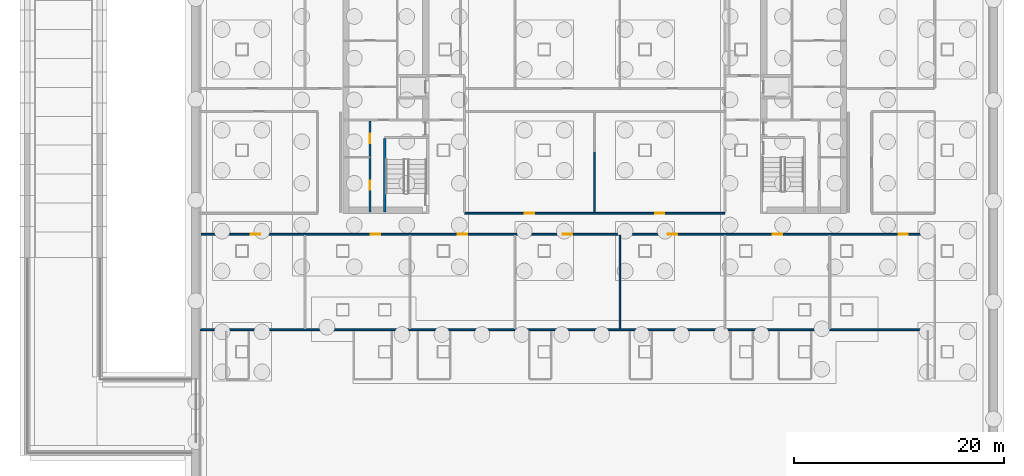
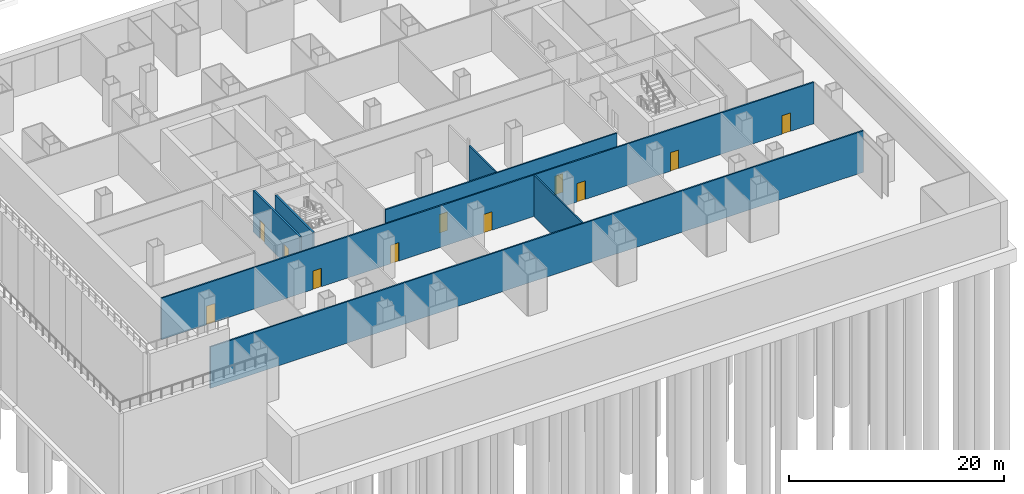
# One storey, part 7 of 17: 11 doors, 7 walls, 11 openings.
"""IFC4 building model written with IfcOpenShell, lengths in metres."""

from ifc_helpers import new_model, si_unit, direction, frame, frame_2d, origin, place, context, subcontext, project, spatial, rectangle, extrude, material, layer, layer_set, type_object, element, fill, save


model = new_model("IFC4")

# Units and contexts
model_context = context("Model", 3, precision=1e-05, world=origin(), true_north=direction((0.0, 1.0)))
body_context = subcontext(model_context, "Body", "Model", "MODEL_VIEW")
ifc_project = project(units=[si_unit("LENGTHUNIT", "METRE"), si_unit("AREAUNIT", "SQUARE_METRE"), si_unit("VOLUMEUNIT", "CUBIC_METRE"), si_unit("PLANEANGLEUNIT", "RADIAN"), si_unit("MASSUNIT", "GRAM", prefix="KILO")], contexts=[model_context])

# Site, building, storey
site_placement = place(None, origin())
site = spatial("IfcSite", under=ifc_project, at=site_placement, CompositionType="ELEMENT")
building_placement = place(site_placement, origin())
building = spatial("IfcBuilding", under=site, at=building_placement, Name="Cobrizo Arcos Hotel Tower", CompositionType="ELEMENT")
storey_placement = place(building_placement, frame((0.0, 0.0, -10.0)))
storey = spatial("IfcBuildingStorey", under=building, at=storey_placement, Name="B2", CompositionType="ELEMENT", Elevation=-10.0)

# Wall
ifc_material_1 = material(Name="Gypsum board partition")
ifc_layer_1 = layer(ifc_material_1, 0.14990234375)
ifc_layer_set_1 = layer_set([ifc_layer_1], Name="Corridor wall EI 60 150")
wall_type_1 = type_object("IfcWallType", Name="Corridor wall EI 60 150", PredefinedType="PARTITIONING", material=ifc_layer_set_1)
wall_1_placement = place(storey_placement, frame((-37.60009765625, -21.89990234375, 0.0), z_axis=(0.0, 0.0, 1.0), x_axis=(1.0, 0.0, 0.0)))
element("IfcWall", 1, at=wall_1_placement, inside=storey, type_object=wall_type_1, Name="Partition 058", PredefinedType="PARTITIONING", context=body_context, shape_type="SweptSolid", body=[
    extrude(rectangle(XDim=70.0, YDim=0.14990234375, at=frame_2d((35.0, 0.0))), origin(), (0.0, 0.0, 1.0), 4.699951171875),
])

# Wall, openings, doors
wall_2_placement = place(storey_placement, frame((-37.60009765625, -12.800048828125, 0.0), z_axis=(0.0, 0.0, 1.0), x_axis=(1.0, 0.0, 0.0)))
wall_2 = element("IfcWall", 2, at=wall_2_placement, inside=storey, type_object=wall_type_1, Name="Partition 059", PredefinedType="PARTITIONING", context=body_context, shape_type="SweptSolid", body=[
    extrude(rectangle(XDim=69.9501953125, YDim=0.14990234375, at=frame_2d((34.97509765625, 0.0))), origin(), (0.0, 0.0, 1.0), 4.699951171875),
])
opening_1_placement = place(wall_2_placement, frame((4.85009765625, 0.0, 0.0)))
opening_1 = element("IfcOpeningElement", 3, at=opening_1_placement, cuts=wall_2, Name="Opening RD-11", PredefinedType="OPENING", context=body_context, shape_type="SweptSolid", body=[
    extrude(rectangle(XDim=0.89990234375, YDim=2.10009765625, at=frame_2d((0.449951171875, 1.050048828125))), frame((0.0, 0.0869140625, 0.0), z_axis=(0.0, -1.0, 0.0), x_axis=(1.0, 0.0, 0.0)), (0.0, 0.0, 1.0), 0.173828125),
])
opening_2_placement = place(wall_2_placement, frame((16.25, 0.0, 0.0)))
opening_2 = element("IfcOpeningElement", 4, at=opening_2_placement, cuts=wall_2, Name="Opening RD-12", PredefinedType="OPENING", context=body_context, shape_type="SweptSolid", body=[
    extrude(rectangle(XDim=0.89990234375, YDim=2.10009765625, at=frame_2d((0.449951171875, 1.050048828125))), frame((0.0, 0.0869140625, 0.0), z_axis=(0.0, -1.0, 0.0), x_axis=(1.0, 0.0, 0.0)), (0.0, 0.0, 1.0), 0.173828125),
])
opening_3_placement = place(wall_2_placement, frame((24.550048828125, 0.0, 0.0)))
opening_3 = element("IfcOpeningElement", 5, at=opening_3_placement, cuts=wall_2, Name="Opening RD-13", PredefinedType="OPENING", context=body_context, shape_type="SweptSolid", body=[
    extrude(rectangle(XDim=0.89990234375, YDim=2.10009765625, at=frame_2d((0.449951171875, 1.050048828125))), frame((0.0, 0.0869140625, 0.0), z_axis=(0.0, -1.0, 0.0), x_axis=(1.0, 0.0, 0.0)), (0.0, 0.0, 1.0), 0.173828125),
])
opening_4_placement = place(wall_2_placement, frame((34.550048828125, 0.0, 0.0)))
opening_4 = element("IfcOpeningElement", 6, at=opening_4_placement, cuts=wall_2, Name="Opening RD-14", PredefinedType="OPENING", context=body_context, shape_type="SweptSolid", body=[
    extrude(rectangle(XDim=0.89990234375, YDim=2.10009765625, at=frame_2d((0.449951171875, 1.050048828125))), frame((0.0, 0.0869140625, 0.0), z_axis=(0.0, -1.0, 0.0), x_axis=(1.0, 0.0, 0.0)), (0.0, 0.0, 1.0), 0.173828125),
])
opening_5_placement = place(wall_2_placement, frame((44.550048828125, 0.0, 0.0)))
opening_5 = element("IfcOpeningElement", 7, at=opening_5_placement, cuts=wall_2, Name="Opening RD-15", PredefinedType="OPENING", context=body_context, shape_type="SweptSolid", body=[
    extrude(rectangle(XDim=0.89990234375, YDim=2.10009765625, at=frame_2d((0.449951171875, 1.050048828125))), frame((0.0, 0.0869140625, 0.0), z_axis=(0.0, -1.0, 0.0), x_axis=(1.0, 0.0, 0.0)), (0.0, 0.0, 1.0), 0.173828125),
])
opening_6_placement = place(wall_2_placement, frame((54.550048828125, 0.0, 0.0)))
opening_6 = element("IfcOpeningElement", 8, at=opening_6_placement, cuts=wall_2, Name="Opening RD-16", PredefinedType="OPENING", context=body_context, shape_type="SweptSolid", body=[
    extrude(rectangle(XDim=0.89990234375, YDim=2.10009765625, at=frame_2d((0.449951171875, 1.050048828125))), frame((0.0, 0.0869140625, 0.0), z_axis=(0.0, -1.0, 0.0), x_axis=(1.0, 0.0, 0.0)), (0.0, 0.0, 1.0), 0.173828125),
])
opening_7_placement = place(wall_2_placement, frame((66.550048828125, 0.0, 0.0)))
opening_7 = element("IfcOpeningElement", 9, at=opening_7_placement, cuts=wall_2, Name="Opening RD-17", PredefinedType="OPENING", context=body_context, shape_type="SweptSolid", body=[
    extrude(rectangle(XDim=0.89990234375, YDim=2.10009765625, at=frame_2d((0.449951171875, 1.050048828125))), frame((0.0, 0.0869140625, 0.0), z_axis=(0.0, -1.0, 0.0), x_axis=(1.0, 0.0, 0.0)), (0.0, 0.0, 1.0), 0.173828125),
])
ifc_material_2 = material(Name="Timber door leaf", Category="wood")
door_type = type_object("IfcDoorType", Name="Room door FD30 900x2100", OperationType="SINGLE_SWING_LEFT", PredefinedType="DOOR", material=ifc_material_2)
door_1_placement = place(opening_1_placement, origin())
door_1 = element("IfcDoor", 10, at=door_1_placement, inside=storey, type_object=door_type, Name="Door RD-11", OperationType="SINGLE_SWING_RIGHT", OverallHeight=2.10009765625, OverallWidth=0.89990234375, PredefinedType="DOOR", context=body_context, shape_type="SweptSolid", body=[
    extrude(rectangle(XDim=0.89990234375, YDim=2.10009765625, at=frame_2d((0.449951171875, 1.050048828125))), frame((0.0, 0.02490234375, 0.0), z_axis=(0.0, -1.0, 0.0), x_axis=(1.0, 0.0, 0.0)), (0.0, 0.0, 1.0), 0.050048828125),
])
fill(opening_1, door_1)
door_2_placement = place(opening_2_placement, origin())
door_2 = element("IfcDoor", 11, at=door_2_placement, inside=storey, type_object=door_type, Name="Door RD-12", OperationType="SINGLE_SWING_LEFT", OverallHeight=2.10009765625, OverallWidth=0.89990234375, PredefinedType="DOOR", context=body_context, shape_type="SweptSolid", body=[
    extrude(rectangle(XDim=0.89990234375, YDim=2.10009765625, at=frame_2d((0.449951171875, 1.050048828125))), frame((0.0, 0.02490234375, 0.0), z_axis=(0.0, -1.0, 0.0), x_axis=(1.0, 0.0, 0.0)), (0.0, 0.0, 1.0), 0.050048828125),
])
fill(opening_2, door_2)
door_3_placement = place(opening_3_placement, origin())
door_3 = element("IfcDoor", 12, at=door_3_placement, inside=storey, type_object=door_type, Name="Door RD-13", OperationType="SINGLE_SWING_LEFT", OverallHeight=2.10009765625, OverallWidth=0.89990234375, PredefinedType="DOOR", context=body_context, shape_type="SweptSolid", body=[
    extrude(rectangle(XDim=0.89990234375, YDim=2.10009765625, at=frame_2d((0.449951171875, 1.050048828125))), frame((0.0, 0.02490234375, 0.0), z_axis=(0.0, -1.0, 0.0), x_axis=(1.0, 0.0, 0.0)), (0.0, 0.0, 1.0), 0.050048828125),
])
fill(opening_3, door_3)
door_4_placement = place(opening_4_placement, origin())
door_4 = element("IfcDoor", 13, at=door_4_placement, inside=storey, type_object=door_type, Name="Door RD-14", OperationType="SINGLE_SWING_LEFT", OverallHeight=2.10009765625, OverallWidth=0.89990234375, PredefinedType="DOOR", context=body_context, shape_type="SweptSolid", body=[
    extrude(rectangle(XDim=0.89990234375, YDim=2.10009765625, at=frame_2d((0.449951171875, 1.050048828125))), frame((0.0, 0.02490234375, 0.0), z_axis=(0.0, -1.0, 0.0), x_axis=(1.0, 0.0, 0.0)), (0.0, 0.0, 1.0), 0.050048828125),
])
fill(opening_4, door_4)
door_5_placement = place(opening_5_placement, origin())
door_5 = element("IfcDoor", 14, at=door_5_placement, inside=storey, type_object=door_type, Name="Door RD-15", OperationType="SINGLE_SWING_LEFT", OverallHeight=2.10009765625, OverallWidth=0.89990234375, PredefinedType="DOOR", context=body_context, shape_type="SweptSolid", body=[
    extrude(rectangle(XDim=0.89990234375, YDim=2.10009765625, at=frame_2d((0.449951171875, 1.050048828125))), frame((0.0, 0.02490234375, 0.0), z_axis=(0.0, -1.0, 0.0), x_axis=(1.0, 0.0, 0.0)), (0.0, 0.0, 1.0), 0.050048828125),
])
fill(opening_5, door_5)
door_6_placement = place(opening_6_placement, origin())
door_6 = element("IfcDoor", 15, at=door_6_placement, inside=storey, type_object=door_type, Name="Door RD-16", OperationType="SINGLE_SWING_LEFT", OverallHeight=2.10009765625, OverallWidth=0.89990234375, PredefinedType="DOOR", context=body_context, shape_type="SweptSolid", body=[
    extrude(rectangle(XDim=0.89990234375, YDim=2.10009765625, at=frame_2d((0.449951171875, 1.050048828125))), frame((0.0, 0.02490234375, 0.0), z_axis=(0.0, -1.0, 0.0), x_axis=(1.0, 0.0, 0.0)), (0.0, 0.0, 1.0), 0.050048828125),
])
fill(opening_6, door_6)
door_7_placement = place(opening_7_placement, origin())
door_7 = element("IfcDoor", 16, at=door_7_placement, inside=storey, type_object=door_type, Name="Door RD-17", OperationType="SINGLE_SWING_LEFT", OverallHeight=2.10009765625, OverallWidth=0.89990234375, PredefinedType="DOOR", context=body_context, shape_type="SweptSolid", body=[
    extrude(rectangle(XDim=0.89990234375, YDim=2.10009765625, at=frame_2d((0.449951171875, 1.050048828125))), frame((0.0, 0.02490234375, 0.0), z_axis=(0.0, -1.0, 0.0), x_axis=(1.0, 0.0, 0.0)), (0.0, 0.0, 1.0), 0.050048828125),
])
fill(opening_7, door_7)

wall_3_placement = place(storey_placement, frame((-12.39990234375, -10.800048828125, 0.0), z_axis=(0.0, 0.0, 1.0), x_axis=(1.0, 0.0, 0.0)))
wall_3 = element("IfcWall", 17, at=wall_3_placement, inside=storey, type_object=wall_type_1, Name="Partition 061", PredefinedType="PARTITIONING", context=body_context, shape_type="SweptSolid", body=[
    extrude(rectangle(XDim=24.7998046875, YDim=0.14990234375, at=frame_2d((12.39990234375, 0.0))), origin(), (0.0, 0.0, 1.0), 4.699951171875),
])
opening_8_placement = place(wall_3_placement, frame((5.75, 0.0, 0.0)))
opening_8 = element("IfcOpeningElement", 18, at=opening_8_placement, cuts=wall_3, Name="Opening RD-19", PredefinedType="OPENING", context=body_context, shape_type="SweptSolid", body=[
    extrude(rectangle(XDim=0.89990234375, YDim=2.10009765625, at=frame_2d((0.449951171875, 1.050048828125))), frame((0.0, 0.0869140625, 0.0), z_axis=(0.0, -1.0, 0.0), x_axis=(1.0, 0.0, 0.0)), (0.0, 0.0, 1.0), 0.173828125),
])
opening_9_placement = place(wall_3_placement, frame((18.14990234375, 0.0, 0.0)))
opening_9 = element("IfcOpeningElement", 19, at=opening_9_placement, cuts=wall_3, Name="Opening RD-20", PredefinedType="OPENING", context=body_context, shape_type="SweptSolid", body=[
    extrude(rectangle(XDim=0.89990234375, YDim=2.10009765625, at=frame_2d((0.449951171875, 1.050048828125))), frame((0.0, 0.0869140625, 0.0), z_axis=(0.0, -1.0, 0.0), x_axis=(1.0, 0.0, 0.0)), (0.0, 0.0, 1.0), 0.173828125),
])
door_8_placement = place(opening_8_placement, origin())
door_8 = element("IfcDoor", 20, at=door_8_placement, inside=storey, type_object=door_type, Name="Door RD-19", OperationType="SINGLE_SWING_LEFT", OverallHeight=2.10009765625, OverallWidth=0.89990234375, PredefinedType="DOOR", context=body_context, shape_type="SweptSolid", body=[
    extrude(rectangle(XDim=0.89990234375, YDim=2.10009765625, at=frame_2d((0.449951171875, 1.050048828125))), frame((0.0, 0.02490234375, 0.0), z_axis=(0.0, -1.0, 0.0), x_axis=(1.0, 0.0, 0.0)), (0.0, 0.0, 1.0), 0.050048828125),
])
fill(opening_8, door_8)
door_9_placement = place(opening_9_placement, origin())
door_9 = element("IfcDoor", 21, at=door_9_placement, inside=storey, type_object=door_type, Name="Door RD-20", OperationType="SINGLE_SWING_RIGHT", OverallHeight=2.10009765625, OverallWidth=0.89990234375, PredefinedType="DOOR", context=body_context, shape_type="SweptSolid", body=[
    extrude(rectangle(XDim=0.89990234375, YDim=2.10009765625, at=frame_2d((0.449951171875, 1.050048828125))), frame((0.0, 0.02490234375, 0.0), z_axis=(0.0, -1.0, 0.0), x_axis=(1.0, 0.0, 0.0)), (0.0, 0.0, 1.0), 0.050048828125),
])
fill(opening_9, door_9)

# Walls
wall_4_placement = place(storey_placement, frame((0.0, -10.72509765625, 0.0), z_axis=(0.0, 0.0, 1.0), x_axis=(0.0, 1.0, 0.0)))
element("IfcWall", 22, at=wall_4_placement, inside=storey, type_object=wall_type_1, Name="Partition 187", PredefinedType="PARTITIONING", context=body_context, shape_type="SweptSolid", body=[
    extrude(rectangle(XDim=5.77099609375, YDim=0.14990234375, at=frame_2d((2.885498046875, 0.0))), origin(), (0.0, 0.0, 1.0), 4.0830078125),
])
wall_5_placement = place(storey_placement, frame((2.39990234375, -21.824951171875, 0.0), z_axis=(0.0, 0.0, 1.0), x_axis=(0.0, 1.0, 0.0)))
element("IfcWall", 23, at=wall_5_placement, inside=storey, type_object=wall_type_1, Name="Partition 190", PredefinedType="PARTITIONING", context=body_context, shape_type="SweptSolid", body=[
    extrude(rectangle(XDim=8.949951171875, YDim=0.14990234375, at=frame_2d((4.47509765625, 0.0))), origin(), (0.0, 0.0, 1.0), 4.699951171875),
])

# Wall, openings, doors
ifc_layer_2 = layer(ifc_material_1, 0.199951171875)
ifc_layer_set_2 = layer_set([ifc_layer_2], Name="Shaft wall EI 120 200")
wall_type_2 = type_object("IfcWallType", Name="Shaft wall EI 120 200", PredefinedType="PARTITIONING", material=ifc_layer_set_2)
wall_6_placement = place(storey_placement, frame((-21.39990234375, -10.679931640625, 0.0), z_axis=(0.0, 0.0, 1.0), x_axis=(0.0, 1.0, 0.0)))
wall_6 = element("IfcWall", 24, at=wall_6_placement, inside=storey, type_object=wall_type_2, Name="Partition 162", PredefinedType="PARTITIONING", context=body_context, shape_type="SweptSolid", body=[
    extrude(rectangle(XDim=8.679931640625, YDim=0.199951171875, at=frame_2d((4.33984375, 0.0))), origin(), (0.0, 0.0, 1.0), 4.699951171875),
])
opening_10_placement = place(wall_6_placement, frame((2.10009765625, 0.0, 0.0)))
opening_10 = element("IfcOpeningElement", 25, at=opening_10_placement, cuts=wall_6, Name="Opening RD-01", PredefinedType="OPENING", context=body_context, shape_type="SweptSolid", body=[
    extrude(rectangle(XDim=0.89990234375, YDim=2.10009765625, at=frame_2d((0.449951171875, 1.050048828125))), frame((0.0, 0.112060546875, 0.0), z_axis=(0.0, -1.0, 0.0), x_axis=(1.0, 0.0, 0.0)), (0.0, 0.0, 1.0), 0.223876953125),
])
opening_11_placement = place(wall_6_placement, frame((6.550048828125, 0.0, 0.0)))
opening_11 = element("IfcOpeningElement", 26, at=opening_11_placement, cuts=wall_6, Name="Opening RD-02", PredefinedType="OPENING", context=body_context, shape_type="SweptSolid", body=[
    extrude(rectangle(XDim=0.89990234375, YDim=2.10009765625, at=frame_2d((0.449951171875, 1.050048828125))), frame((0.0, 0.112060546875, 0.0), z_axis=(0.0, -1.0, 0.0), x_axis=(1.0, 0.0, 0.0)), (0.0, 0.0, 1.0), 0.223876953125),
])
door_10_placement = place(opening_10_placement, origin())
door_10 = element("IfcDoor", 27, at=door_10_placement, inside=storey, type_object=door_type, Name="Door RD-01", OperationType="SINGLE_SWING_LEFT", OverallHeight=2.10009765625, OverallWidth=0.89990234375, PredefinedType="DOOR", context=body_context, shape_type="SweptSolid", body=[
    extrude(rectangle(XDim=0.89990234375, YDim=2.10009765625, at=frame_2d((0.449951171875, 1.050048828125))), frame((0.0, 0.02490234375, 0.0), z_axis=(0.0, -1.0, 0.0), x_axis=(1.0, 0.0, 0.0)), (0.0, 0.0, 1.0), 0.050048828125),
])
fill(opening_10, door_10)
door_11_placement = place(opening_11_placement, origin())
door_11 = element("IfcDoor", 28, at=door_11_placement, inside=storey, type_object=door_type, Name="Door RD-02", OperationType="SINGLE_SWING_RIGHT", OverallHeight=2.10009765625, OverallWidth=0.89990234375, PredefinedType="DOOR", context=body_context, shape_type="SweptSolid", body=[
    extrude(rectangle(XDim=0.89990234375, YDim=2.10009765625, at=frame_2d((0.449951171875, 1.050048828125))), frame((0.0, 0.02490234375, 0.0), z_axis=(0.0, -1.0, 0.0), x_axis=(1.0, 0.0, 0.0)), (0.0, 0.0, 1.0), 0.050048828125),
])
fill(opening_11, door_11)

# Wall
ifc_material_3 = material(Name="Concrete f'c 40 MPa", Category="concrete")
ifc_layer_3 = layer(ifc_material_3, 0.199951171875)
ifc_layer_set_3 = layer_set([ifc_layer_3], Name="Stair shaft wall 200")
wall_type_3 = type_object("IfcWallType", Name="Stair shaft wall 200", PredefinedType="SHEAR", material=ifc_layer_set_3)
wall_7_placement = place(storey_placement, frame((-20.0, -10.679931640625, 0.0), z_axis=(0.0, 0.0, 1.0), x_axis=(0.0, 1.0, 0.0)))
element("IfcWall", 29, at=wall_7_placement, inside=storey, type_object=wall_type_3, Name="Stair shaft wall W", PredefinedType="SHEAR", context=body_context, shape_type="SweptSolid", body=[
    extrude(rectangle(XDim=6.97998046875, YDim=0.199951171875, at=frame_2d((3.489990234375, 0.0))), origin(), (0.0, 0.0, 1.0), 4.699951171875),
])

save(model, "model.ifc")
